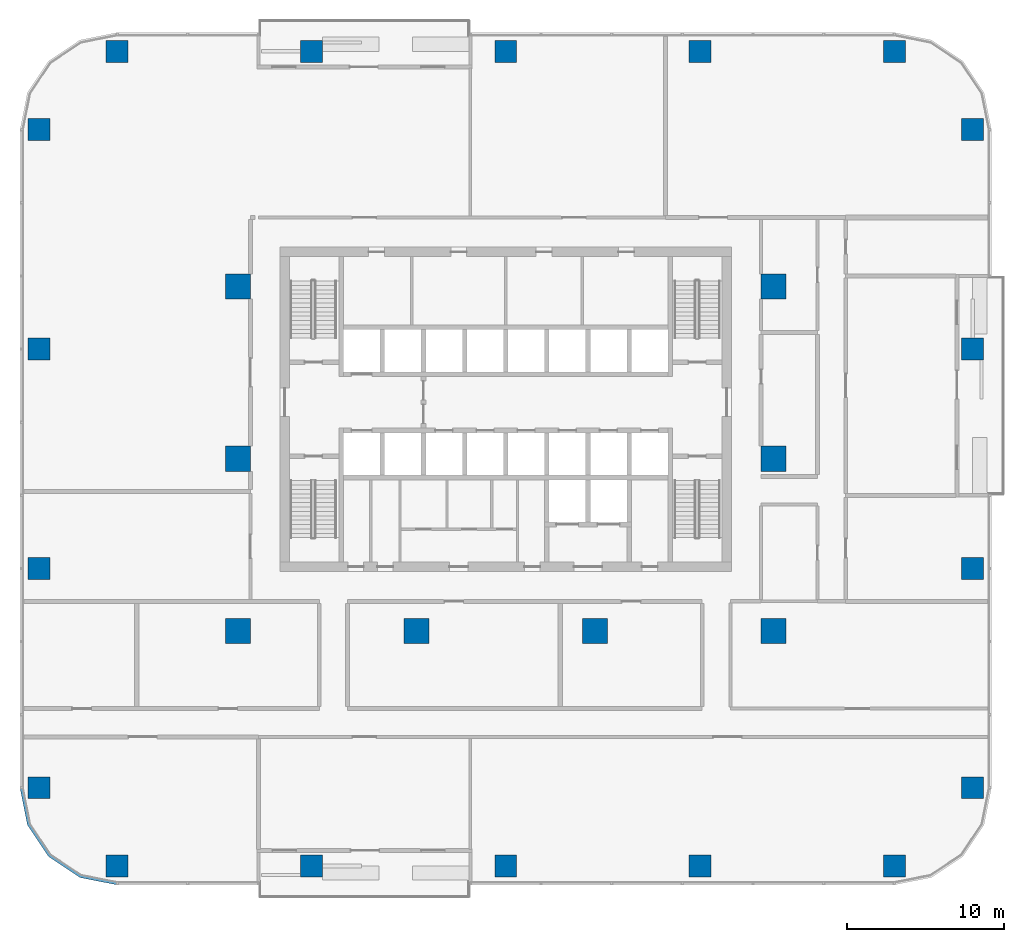
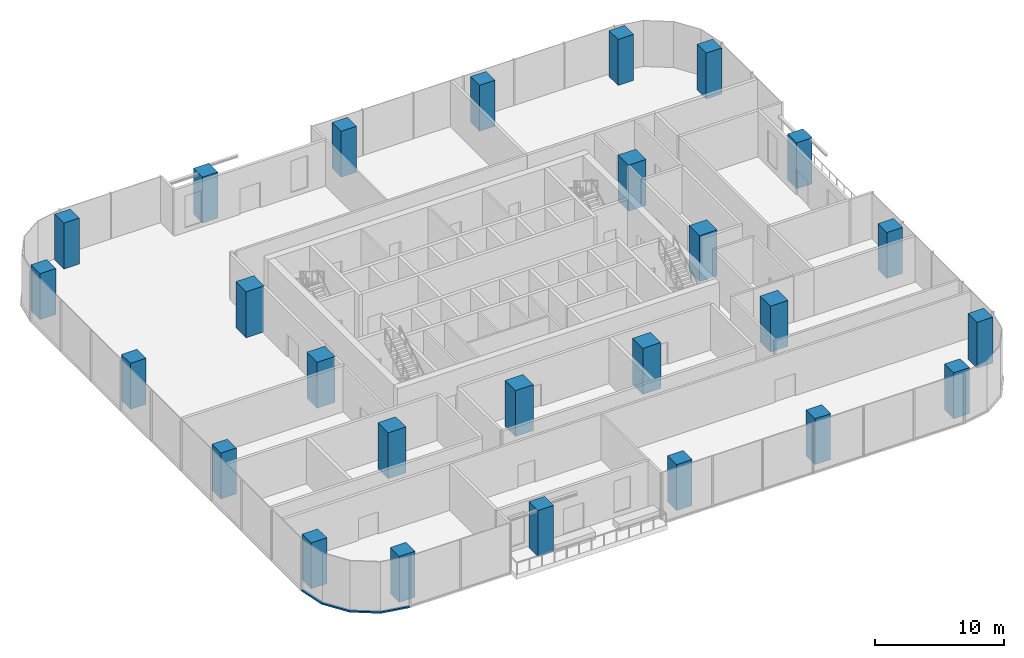
# One storey, part 1 of 15: 26 columns, 1 member, 1 element without a shape of its own.
"""IFC4 building model written with IfcOpenShell, lengths in metres."""

from ifc_helpers import new_model, si_unit, direction, frame, origin, origin_2d, place, context, subcontext, project, spatial, polyline, rectangle, outline, extrude, material, material_profile, profile_set, type_object, element, aggregate, save


model = new_model("IFC4")

# Units and contexts
model_context = context("Model", 3, precision=1e-05, world=origin(), true_north=direction((0.0, 1.0)))
body_context = subcontext(model_context, "Body", "Model", "MODEL_VIEW")
ifc_project = project(units=[si_unit("LENGTHUNIT", "METRE"), si_unit("AREAUNIT", "SQUARE_METRE"), si_unit("VOLUMEUNIT", "CUBIC_METRE"), si_unit("PLANEANGLEUNIT", "RADIAN"), si_unit("MASSUNIT", "GRAM", prefix="KILO")], contexts=[model_context])

# Site, building, storey
site_placement = place(None, origin())
site = spatial("IfcSite", under=ifc_project, at=site_placement, CompositionType="ELEMENT")
building_placement = place(site_placement, origin())
building = spatial("IfcBuilding", under=site, at=building_placement, Name="Mopane Tessera Tower", CompositionType="ELEMENT")
storey_placement = place(building_placement, frame((0.0, 0.0, 69.39990234375)))
storey = spatial("IfcBuildingStorey", under=building, at=storey_placement, Name="L13", CompositionType="ELEMENT", Elevation=69.39990234375)

# Columns
ifc_material_1 = material(Name="Concrete C60/75", Category="concrete")
ifc_material_profile_1 = material_profile(ifc_material_1, rectangle(XDim=1.60009765625, YDim=1.60009765625, at=origin_2d()))
ifc_profile_set_1 = profile_set([ifc_material_profile_1], Name="Concrete C60/75")
column_type_1 = type_object("IfcColumnType", Name="Interior column 1600 x 1600 C60/75", PredefinedType="COLUMN", material=ifc_profile_set_1)
for number, where, z_axis, x_axis, name in (
    (1, (-17.10009765625, -11.0, 0.0), (0.0, 0.0, 1.0), (1.0, 0.0, 0.0), "Interior column I1A L13"),
    (2, (-17.10009765625, 0.0, 0.0), (0.0, 0.0, 1.0), (1.0, 0.0, 0.0), "Interior column I1B L13"),
    (3, (-17.10009765625, 11.0, 0.0), (0.0, 0.0, 1.0), (1.0, 0.0, 0.0), "Interior column I1C L13"),
    (4, (-5.699951171875, -11.0, 0.0), (0.0, 0.0, 1.0), (1.0, 0.0, 0.0), "Interior column I2A L13"),
    (5, (5.699951171875, -11.0, 0.0), (0.0, 0.0, 1.0), (1.0, 0.0, 0.0), "Interior column I3A L13"),
    (6, (17.10009765625, -11.0, 0.0), (0.0, 0.0, 1.0), (1.0, 0.0, 0.0), "Interior column I4A L13"),
    (7, (17.10009765625, 0.0, 0.0), (0.0, 0.0, 1.0), (1.0, 0.0, 0.0), "Interior column I4B L13"),
    (8, (17.10009765625, 11.0, 0.0), (0.0, 0.0, 1.0), (1.0, 0.0, 0.0), "Interior column I4C L13"),
):
    element("IfcColumn", number, at=place(storey_placement, frame(where, z_axis=z_axis, x_axis=x_axis)), inside=storey, type_object=column_type_1, Name=name, PredefinedType="COLUMN", context=body_context, shape_type="SweptSolid", body=[
        extrude(rectangle(XDim=1.60009765625, YDim=1.60009765625, at=origin_2d()), origin(), (0.0, 0.0, 1.0), 4.35009765625),
    ])
ifc_material_2 = material(Name="Concrete C60/75", Category="concrete")
ifc_material_profile_2 = material_profile(ifc_material_2, rectangle(XDim=1.39990234375, YDim=1.39990234375, at=origin_2d()))
ifc_profile_set_2 = profile_set([ifc_material_profile_2], Name="Concrete C60/75")
column_type_2 = type_object("IfcColumnType", Name="Ring column 1400 x 1400 C60/75", PredefinedType="COLUMN", material=ifc_profile_set_2)
for number, where, z_axis, x_axis, name in (
    (9, (-24.800048828125, -26.0, 0.0), (0.0, 0.0, 1.0), (1.0, 0.0, 0.0), "Ring column S0 L13"),
    (10, (-12.39990234375, -26.0, 0.0), (0.0, 0.0, 1.0), (1.0, 0.0, 0.0), "Ring column S1 L13"),
    (11, (0.0, -26.0, 0.0), (0.0, 0.0, 1.0), (1.0, 0.0, 0.0), "Ring column S2 L13"),
    (12, (12.39990234375, -26.0, 0.0), (0.0, 0.0, 1.0), (1.0, 0.0, 0.0), "Ring column S3 L13"),
    (13, (24.800048828125, -26.0, 0.0), (0.0, 0.0, 1.0), (1.0, 0.0, 0.0), "Ring column S4 L13"),
    (14, (29.800048828125, -21.0, 0.0), (0.0, 0.0, 1.0), (1.0, 0.0, 0.0), "Ring column E0 L13"),
    (15, (29.800048828125, -7.0, 0.0), (0.0, 0.0, 1.0), (1.0, 0.0, 0.0), "Ring column E1 L13"),
    (16, (29.800048828125, 7.0, 0.0), (0.0, 0.0, 1.0), (1.0, 0.0, 0.0), "Ring column E2 L13"),
    (17, (29.800048828125, 21.0, 0.0), (0.0, 0.0, 1.0), (1.0, 0.0, 0.0), "Ring column E3 L13"),
    (18, (24.800048828125, 26.0, 0.0), (0.0, 0.0, 1.0), (1.0, 0.0, 0.0), "Ring column N0 L13"),
    (19, (12.39990234375, 26.0, 0.0), (0.0, 0.0, 1.0), (1.0, 0.0, 0.0), "Ring column N1 L13"),
    (20, (0.0, 26.0, 0.0), (0.0, 0.0, 1.0), (1.0, 0.0, 0.0), "Ring column N2 L13"),
    (21, (-12.39990234375, 26.0, 0.0), (0.0, 0.0, 1.0), (1.0, 0.0, 0.0), "Ring column N3 L13"),
    (22, (-24.800048828125, 26.0, 0.0), (0.0, 0.0, 1.0), (1.0, 0.0, 0.0), "Ring column N4 L13"),
    (23, (-29.800048828125, 21.0, 0.0), (0.0, 0.0, 1.0), (1.0, 0.0, 0.0), "Ring column W0 L13"),
    (24, (-29.800048828125, 7.0, 0.0), (0.0, 0.0, 1.0), (1.0, 0.0, 0.0), "Ring column W1 L13"),
    (25, (-29.800048828125, -7.0, 0.0), (0.0, 0.0, 1.0), (1.0, 0.0, 0.0), "Ring column W2 L13"),
    (26, (-29.800048828125, -21.0, 0.0), (0.0, 0.0, 1.0), (1.0, 0.0, 0.0), "Ring column W3 L13"),
):
    element("IfcColumn", number, at=place(storey_placement, frame(where, z_axis=z_axis, x_axis=x_axis)), inside=storey, type_object=column_type_2, Name=name, PredefinedType="COLUMN", context=body_context, shape_type="SweptSolid", body=[
        extrude(rectangle(XDim=1.39990234375, YDim=1.39990234375, at=origin_2d()), origin(), (0.0, 0.0, 1.0), 4.35009765625),
    ])

# Curtain wall, member
ifc_material_3 = material(Name="Aluminium frame", Category="aluminium")
curtain_wall_type = type_object("IfcCurtainWallType", Name="Lower tower unitised wall", PredefinedType="NOTDEFINED", material=ifc_material_3)
curtain_wall_placement = place(storey_placement, origin())
curtain_wall = element("IfcCurtainWall", 27, at=curtain_wall_placement, inside=storey, type_object=curtain_wall_type, Name="e:cw:L13:CW", PredefinedType="NOTDEFINED")
ifc_material_4 = material(Name="Aluminium frame", Category="aluminium")
ifc_material_profile_3 = material_profile(ifc_material_4, rectangle(XDim=0.199951171875, YDim=0.139892578125, at=origin_2d()))
ifc_profile_set_3 = profile_set([ifc_material_profile_3], Name="Aluminium frame")
member_type = type_object("IfcMemberType", Name="Aluminium transom 200 x 140", PredefinedType="USERDEFINED", material=ifc_profile_set_3)
member_placement = place(storey_placement, frame((0.0, 0.0, -0.449951171875)))
member = element("IfcMember", 28, at=member_placement, type_object=member_type, Name="e:cw:L13:CW:tr", ObjectType="TRANSOM", PredefinedType="USERDEFINED", context=body_context, shape_type="SweptSolid", body=[
    extrude(outline(polyline([(-30.800048828125, -21.0), (-30.34326171875, -23.296142578125), (-29.042724609375, -25.24267578125), (-27.09619140625, -26.543212890625), (-24.800048828125, -27.0), (-24.800048828125, -27.199951171875), (-27.172607421875, -26.72802734375), (-29.18408203125, -25.384033203125), (-30.528076171875, -23.37255859375), (-31.0, -21.0), (-30.800048828125, -21.0)])), origin(), (0.0, 0.0, 1.0), 0.14013671875),
])
aggregate(curtain_wall, [member])

save(model, "model.ifc")
